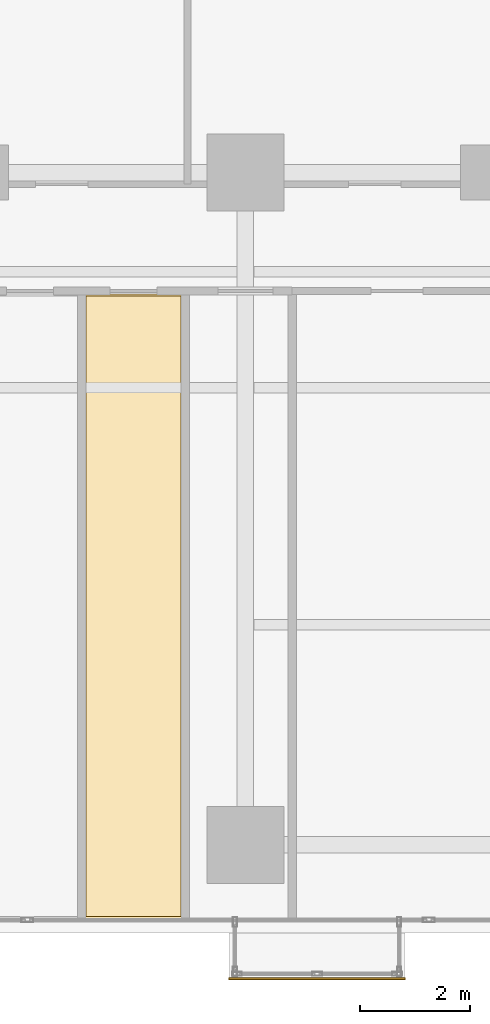
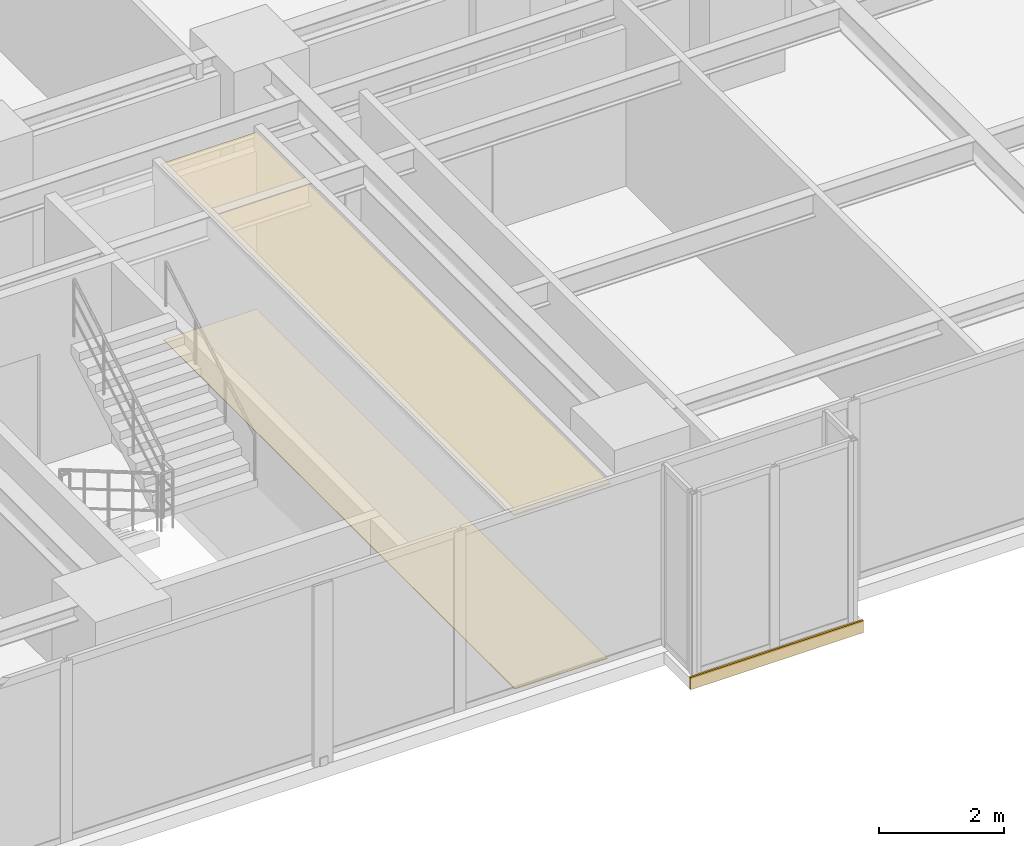
# One storey, part 26 of 27: 3 coverings.
"""IFC4 building model written with IfcOpenShell, lengths in metres."""

from ifc_helpers import new_model, si_unit, direction, frame, origin, origin_2d, place, context, subcontext, project, spatial, polyline, rectangle, outline, extrude, material, layer, layer_set, type_object, element, save


model = new_model("IFC4")

# Units and contexts
model_context = context("Model", 3, precision=1e-05, world=origin(), true_north=direction((0.0, 1.0)))
body_context = subcontext(model_context, "Body", "Model", "MODEL_VIEW")
ifc_project = project(units=[si_unit("LENGTHUNIT", "METRE"), si_unit("AREAUNIT", "SQUARE_METRE"), si_unit("VOLUMEUNIT", "CUBIC_METRE"), si_unit("PLANEANGLEUNIT", "RADIAN"), si_unit("MASSUNIT", "GRAM", prefix="KILO")], contexts=[model_context])

# Site, building, storey
site_placement = place(None, origin())
site = spatial("IfcSite", under=ifc_project, at=site_placement, CompositionType="ELEMENT")
building_placement = place(site_placement, origin())
building = spatial("IfcBuilding", under=site, at=building_placement, Name="Kolvaren Waterfront Exchange", CompositionType="ELEMENT")
storey_placement = place(building_placement, frame((0.0, 0.0, 118.300048828125)))
storey = spatial("IfcBuildingStorey", under=building, at=storey_placement, Name="L30", CompositionType="ELEMENT", Elevation=118.300048828125)

# Coverings
ifc_material_1 = material(Name="Mineral fibre acoustic ceiling tile")
ifc_layer_1 = layer(ifc_material_1, 0.02490234375, Name="Mineral fibre acoustic ceiling tile")
ifc_layer_set_1 = layer_set([ifc_layer_1], Name="Mineral fibre acoustic ceiling tile")
covering_type_1 = type_object("IfcCoveringType", Name="ARC-CEIL-ACOUSTIC-25", PredefinedType="CEILING", material=ifc_layer_set_1)
covering_1_placement = place(storey_placement, frame((0.0, 0.0, 3.425048828125)))
element("IfcCovering", 1, at=covering_1_placement, inside=storey, type_object=covering_type_1, Name="L30 acoustic suspended ceiling 3", PredefinedType="CEILING", context=body_context, shape_type="SweptSolid", body=[
    extrude(outline(polyline([(35.6650390625, 3.864990234375), (35.6650390625, 15.195068359375), (33.875, 15.195068359375), (33.875, 3.864990234375), (35.6650390625, 3.864990234375)])), origin(), (0.0, 0.0, 1.0), 0.02490234375),
])
ifc_material_2 = material(Name="Anodised bronze fascia aluminium", Category="aluminium")
ifc_layer_2 = layer(ifc_material_2, 0.034912109375, Name="Anodised bronze fascia aluminium")
ifc_layer_set_2 = layer_set([ifc_layer_2], Name="Anodised bronze fascia aluminium")
covering_type_2 = type_object("IfcCoveringType", Name="ARC-CLAD-BRONZE-35", PredefinedType="CLADDING", material=ifc_layer_set_2)
covering_2_placement = place(storey_placement, frame((38.10009765625, 2.77001953125, -0.22021484375), z_axis=(0.0, 0.0, 1.0), x_axis=(1.0, 0.0, 0.0)))
element("IfcCovering", 2, at=covering_2_placement, inside=storey, type_object=covering_type_2, Name="L30 ribbed anodised bronze bay-box fascia", PredefinedType="CLADDING", context=body_context, shape_type="SweptSolid", body=[
    extrude(rectangle(XDim=3.199951171875, YDim=0.034912109375, at=origin_2d()), origin(), (0.0, 0.0, 1.0), 0.239990234375),
])
ifc_material_3 = material(Name="Slip-resistant porcelain tile")
ifc_layer_3 = layer(ifc_material_3, 0.014892578125, Name="Slip-resistant porcelain tile")
ifc_layer_set_3 = layer_set([ifc_layer_3], Name="Slip-resistant porcelain tile")
covering_type_3 = type_object("IfcCoveringType", Name="ARC-FLR-PORC-15", PredefinedType="FLOORING", material=ifc_layer_set_3)
covering_3_placement = place(storey_placement, origin())
element("IfcCovering", 3, at=covering_3_placement, inside=storey, type_object=covering_type_3, Name="L30 floor finish 3", PredefinedType="FLOORING", context=body_context, shape_type="SweptSolid", body=[
    extrude(outline(polyline([(33.909912109375, 15.159912109375), (33.909912109375, 3.89990234375), (35.6298828125, 3.89990234375), (35.6298828125, 15.159912109375), (33.909912109375, 15.159912109375)])), origin(), (0.0, 0.0, 1.0), 0.014892578125),
])

save(model, "model.ifc")
